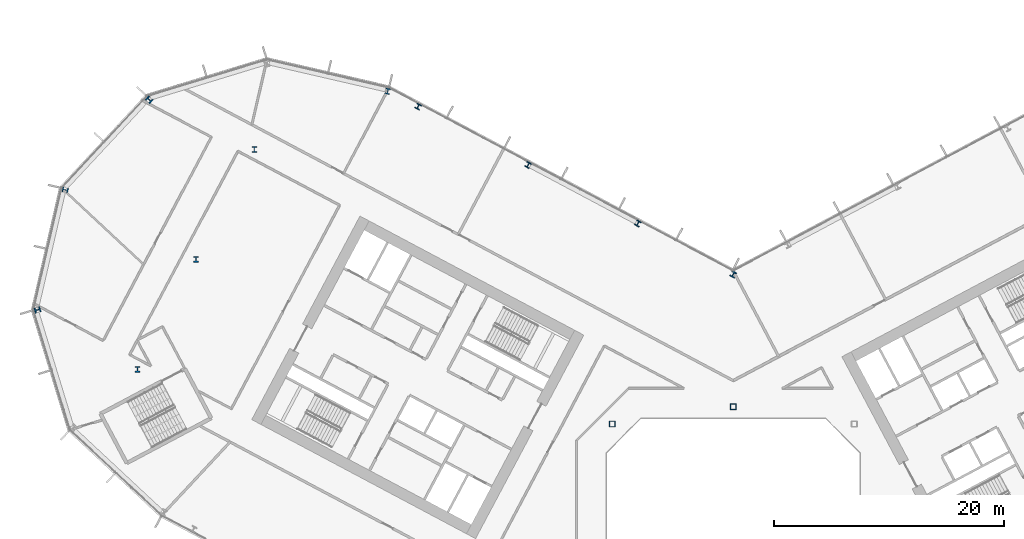
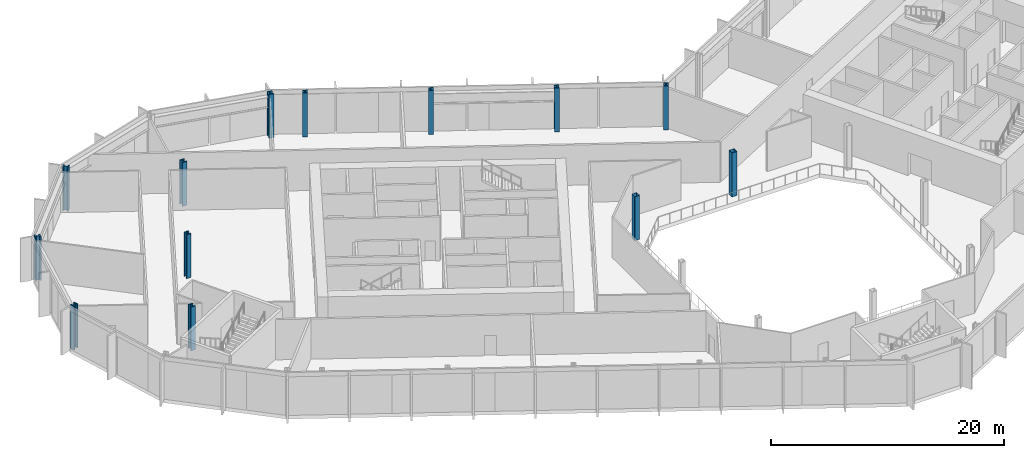
# One storey, part 2 of 31: 13 columns.
"""IFC4 building model written with IfcOpenShell, lengths in metres."""

from ifc_helpers import new_model, si_unit, direction, frame, origin, origin_2d, place, context, subcontext, project, spatial, hollow_rectangle, i_section, extrude, material, material_profile, profile_set, type_object, element, save


model = new_model("IFC4")

# Units and contexts
model_context = context("Model", 3, precision=1e-05, world=origin(), true_north=direction((0.0, 1.0)))
body_context = subcontext(model_context, "Body", "Model", "MODEL_VIEW")
ifc_project = project(units=[si_unit("LENGTHUNIT", "METRE"), si_unit("AREAUNIT", "SQUARE_METRE"), si_unit("VOLUMEUNIT", "CUBIC_METRE"), si_unit("PLANEANGLEUNIT", "RADIAN"), si_unit("MASSUNIT", "GRAM", prefix="KILO")], contexts=[model_context])

# Site, building, storey
site_placement = place(None, origin())
site = spatial("IfcSite", under=ifc_project, at=site_placement, CompositionType="ELEMENT")
building_placement = place(site_placement, origin())
building = spatial("IfcBuilding", under=site, at=building_placement, Name="Cormorant Relay Tower", CompositionType="ELEMENT")
storey_placement = place(building_placement, frame((0.0, 0.0, 93.800048828125)))
storey = spatial("IfcBuildingStorey", under=building, at=storey_placement, Name="L18", CompositionType="ELEMENT", Elevation=93.800048828125)

# Columns
ifc_material_1 = material(Name="Steel ASTM A500 Grade C (Fy 345 MPa)", Category="steel")
ifc_material_profile_1 = material_profile(ifc_material_1, hollow_rectangle(XDim=0.508056640625, YDim=0.508056640625, WallThickness=0.020751953125, InnerFilletRadius=0.01025390625, OuterFilletRadius=0.031005859375, at=origin_2d()), Name="HSS508x508x21")
ifc_profile_set_1 = profile_set([ifc_material_profile_1], Name="Steel ASTM A500 Grade C (Fy 345 MPa)")
column_type_1 = type_object("IfcColumnType", Name="Column HSS508x508x21", PredefinedType="COLUMN", material=ifc_profile_set_1)
for number, where, z_axis, x_axis, name in (
    (1, (-10.5, 10.5, 0.0), (0.0, 0.0, 1.0), (1.0, 0.0, 0.0), "Column L18-022"),
    (2, (0.0, 12.0, 0.0), (0.0, 0.0, 1.0), (1.0, 0.0, 0.0), "Column L18-024"),
):
    element("IfcColumn", number, at=place(storey_placement, frame(where, z_axis=z_axis, x_axis=x_axis)), inside=storey, type_object=column_type_1, Name=name, PredefinedType="COLUMN", context=body_context, shape_type="SweptSolid", body=[
        extrude(hollow_rectangle(XDim=0.508056640625, YDim=0.508056640625, WallThickness=0.020751953125, InnerFilletRadius=0.01025390625, OuterFilletRadius=0.031005859375, at=origin_2d()), origin(), (0.0, 0.0, 1.0), 4.599853515625),
    ])
ifc_material_2 = material(Name="Steel ASTM A992 (Fy 345 MPa)", Category="steel")
ifc_material_profile_2 = material_profile(ifc_material_2, i_section(OverallWidth=0.42431640625, OverallDepth=0.47509765625, WebThickness=0.0478515625, FlangeThickness=0.0771484375, FilletRadius=0.014892578125, at=origin_2d()), Name="W360x634")
ifc_profile_set_2 = profile_set([ifc_material_profile_2], Name="Steel ASTM A992 (Fy 345 MPa)")
column_type_2 = type_object("IfcColumnType", Name="Column W360x634", PredefinedType="COLUMN", material=ifc_profile_set_2)
for number, where, z_axis, x_axis, name in (
    (3, (-8.26611328125, 27.906982421875, 0.0), (0.0, 0.0, 1.0), (-0.882947592859, 0.469471562786, 0.0), "Column L18-036"),
    (4, (-17.802001953125, 32.97802734375, 0.0), (0.0, 0.0, 1.0), (-0.882947592859, 0.469471562786, 0.0), "Column L18-041"),
    (5, (-27.337890625, 38.048095703125, 0.0), (0.0, 0.0, 1.0), (-0.882947592859, 0.469471562786, 0.0), "Column L18-046"),
):
    element("IfcColumn", number, at=place(storey_placement, frame(where, z_axis=z_axis, x_axis=x_axis)), inside=storey, type_object=column_type_2, Name=name, PredefinedType="COLUMN", context=body_context, shape_type="SweptSolid", body=[
        extrude(i_section(OverallWidth=0.42431640625, OverallDepth=0.47509765625, WebThickness=0.0478515625, FlangeThickness=0.0771484375, FilletRadius=0.014892578125, at=origin_2d()), origin(), (0.0, 0.0, 1.0), 4.599853515625),
    ])
ifc_material_3 = material(Name="Steel ASTM A992 (Fy 345 MPa)", Category="steel")
ifc_material_profile_3 = material_profile(ifc_material_3, i_section(OverallWidth=0.43701171875, OverallDepth=0.51318359375, WebThickness=0.060546875, FlangeThickness=0.096923828125, FilletRadius=0.015380859375, at=origin_2d()), Name="W360x818")
ifc_profile_set_3 = profile_set([ifc_material_profile_3], Name="Steel ASTM A992 (Fy 345 MPa)")
column_type_3 = type_object("IfcColumnType", Name="Column W360x818", PredefinedType="COLUMN", material=ifc_profile_set_3)
for number, where, z_axis, x_axis, name in (
    (6, (-51.68994140625, 15.251953125, 0.0), (0.0, 0.0, 1.0), (1.0, 0.0, 0.0), "Column L18-027"),
    (7, (-60.3701171875, 20.406005859375, 0.0), (0.0, 0.0, 1.0), (0.292371704723, -0.956304755963, 0.0), "Column L18-030"),
    (8, (0.0, 23.48388671875, 0.0), (0.0, 0.0, 1.0), (-0.882947592859, 0.469471562786, 0.0), "Column L18-032"),
    (9, (-46.6201171875, 24.7880859375, 0.0), (0.0, 0.0, 1.0), (1.0, 0.0, 0.0), "Column L18-034"),
    (10, (-57.966064453125, 30.821044921875, 0.0), (0.0, 0.0, 1.0), (-0.224951054344, -0.974370064785, 0.0), "Column L18-038"),
    (11, (-41.549072265625, 34.323974609375, 0.0), (0.0, 0.0, 1.0), (1.0, 0.0, 0.0), "Column L18-043"),
    (12, (-50.675048828125, 38.637939453125, 0.0), (0.0, 0.0, 1.0), (-0.681998360062, -0.731353701619, 0.0), "Column L18-047"),
    (13, (-29.98193359375, 39.3779296875, 0.0), (0.0, 0.0, 1.0), (-0.974370064785, 0.224951054344, 0.0), "Column L18-048"),
):
    element("IfcColumn", number, at=place(storey_placement, frame(where, z_axis=z_axis, x_axis=x_axis)), inside=storey, type_object=column_type_3, Name=name, PredefinedType="COLUMN", context=body_context, shape_type="SweptSolid", body=[
        extrude(i_section(OverallWidth=0.43701171875, OverallDepth=0.51318359375, WebThickness=0.060546875, FlangeThickness=0.096923828125, FilletRadius=0.015380859375, at=origin_2d()), origin(), (0.0, 0.0, 1.0), 4.599853515625),
    ])

save(model, "model.ifc")
